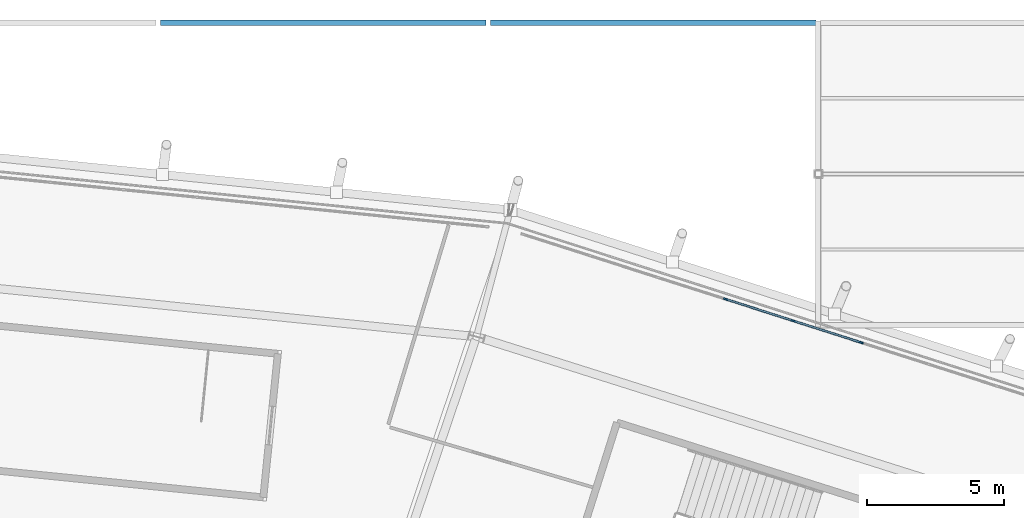
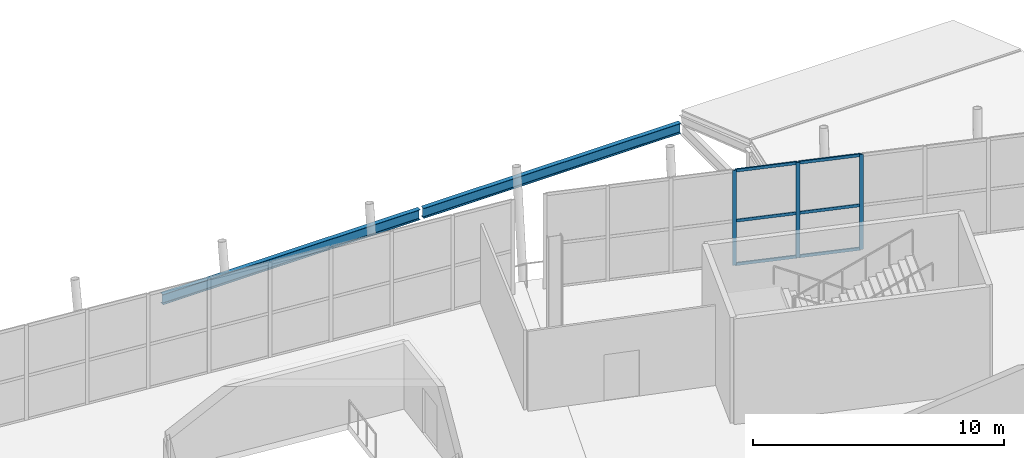
# One storey, part 58 of 126: 9 members, 2 beams, 1 element without a shape of its own.
"""IFC4 building model written with IfcOpenShell, lengths in metres."""

from ifc_helpers import new_model, si_unit, direction, frame, origin, origin_2d, place, context, subcontext, project, spatial, rectangle, i_section, extrude, material, material_profile, profile_set, type_object, element, aggregate, save


model = new_model("IFC4")

# Units and contexts
model_context = context("Model", 3, precision=1e-05, world=origin(), true_north=direction((0.0, 1.0)))
body_context = subcontext(model_context, "Body", "Model", "MODEL_VIEW")
ifc_project = project(units=[si_unit("LENGTHUNIT", "METRE"), si_unit("AREAUNIT", "SQUARE_METRE"), si_unit("VOLUMEUNIT", "CUBIC_METRE"), si_unit("PLANEANGLEUNIT", "RADIAN"), si_unit("MASSUNIT", "GRAM", prefix="KILO")], contexts=[model_context])

# Site, building, storey
site_placement = place(None, origin())
site = spatial("IfcSite", under=ifc_project, at=site_placement, CompositionType="ELEMENT")
building_placement = place(site_placement, origin())
building = spatial("IfcBuilding", under=site, at=building_placement, Name="Zlatoyarsky Gate Stadium", CompositionType="ELEMENT")
storey_placement = place(building_placement, frame((0.0, 0.0, 20.800048828125)))
storey = spatial("IfcBuildingStorey", under=building, at=storey_placement, Name="L04", CompositionType="ELEMENT", Elevation=20.800048828125)

# Curtain wall, members
ifc_material_1 = material(Name="Thermally broken anodised aluminium curtain wall", Category="aluminium")
curtain_wall_type = type_object("IfcCurtainWallType", Name="UNITISED MEDIA RING GLAZING L04", PredefinedType="USERDEFINED", material=ifc_material_1)
curtain_wall_placement = place(storey_placement, origin())
curtain_wall = element("IfcCurtainWall", 1, at=curtain_wall_placement, inside=storey, type_object=curtain_wall_type, Name="Curtain wall CW-L04-04", ObjectType="UNITISED GLAZING", PredefinedType="USERDEFINED")
ifc_material_2 = material(Name="Anodised aluminium 6063-T6", Category="aluminium")
ifc_material_profile_1 = material_profile(ifc_material_2, rectangle(XDim=0.06494140625, YDim=0.159912109375, at=origin_2d()), Name="ALU 65X160")
ifc_profile_set_1 = profile_set([ifc_material_profile_1], Name="Anodised aluminium 6063-T6")
member_type_1 = type_object("IfcMemberType", Name="ALUMINIUM MULLION 65X160", PredefinedType="MULLION", material=ifc_profile_set_1)
member_1_placement = place(storey_placement, frame((149.06103515625, 148.367431640625, 0.0), z_axis=(0.0, 0.0, 1.0), x_axis=(-0.305065730928, -0.952331297298, 0.0)))
member_1 = element("IfcMember", 2, at=member_1_placement, type_object=member_type_1, Name="CW-UG4 mullion 5", PredefinedType="MULLION", context=body_context, shape_type="SweptSolid", body=[
    extrude(rectangle(XDim=0.06494140625, YDim=0.159912109375, at=origin_2d()), origin(), (0.0, 0.0, 1.0), 4.619873046875),
])
member_2_placement = place(storey_placement, frame((146.597412109375, 149.156494140625, 0.0), z_axis=(0.0, 0.0, 1.0), x_axis=(-0.305065730928, -0.952331297298, 0.0)))
member_2 = element("IfcMember", 3, at=member_2_placement, type_object=member_type_1, Name="CW-UG4 mullion 6", PredefinedType="MULLION", context=body_context, shape_type="SweptSolid", body=[
    extrude(rectangle(XDim=0.06494140625, YDim=0.159912109375, at=origin_2d()), origin(), (0.0, 0.0, 1.0), 4.619873046875),
])
member_3_placement = place(storey_placement, frame((144.133544921875, 149.94580078125, 0.0), z_axis=(0.0, 0.0, 1.0), x_axis=(-0.305065730928, -0.952331297298, 0.0)))
member_3 = element("IfcMember", 4, at=member_3_placement, type_object=member_type_1, Name="CW-UG4 mullion 7", PredefinedType="MULLION", context=body_context, shape_type="SweptSolid", body=[
    extrude(rectangle(XDim=0.06494140625, YDim=0.159912109375, at=origin_2d()), origin(), (0.0, 0.0, 1.0), 4.619873046875),
])
ifc_material_profile_2 = material_profile(ifc_material_2, rectangle(XDim=0.06494140625, YDim=0.139892578125, at=origin_2d()), Name="ALU 65X140")
ifc_profile_set_2 = profile_set([ifc_material_profile_2], Name="Anodised aluminium 6063-T6")
member_type_2 = type_object("IfcMemberType", Name="ALUMINIUM TRANSOM 65X140", PredefinedType="USERDEFINED", material=ifc_profile_set_2)
member_4_placement = place(storey_placement, frame((149.030029296875, 148.377197265625, 0.032470703125), z_axis=(-0.95231618878, 0.305112891546, 0.0), x_axis=(-0.305112891546, -0.95231618878, 0.0)))
member_4 = element("IfcMember", 5, at=member_4_placement, type_object=member_type_2, Name="CW-UG4 transom 5.1", ObjectType="TRANSOM", PredefinedType="USERDEFINED", context=body_context, shape_type="SweptSolid", body=[
    extrude(rectangle(XDim=0.06494140625, YDim=0.139892578125, at=origin_2d()), origin(), (0.0, 0.0, 1.0), 2.522216796875),
])
member_5_placement = place(storey_placement, frame((149.030029296875, 148.377197265625, 2.14990234375), z_axis=(-0.95231618878, 0.305112891546, 0.0), x_axis=(-0.305112891546, -0.95231618878, 0.0)))
member_5 = element("IfcMember", 6, at=member_5_placement, type_object=member_type_2, Name="CW-UG4 transom 5.2", ObjectType="TRANSOM", PredefinedType="USERDEFINED", context=body_context, shape_type="SweptSolid", body=[
    extrude(rectangle(XDim=0.06494140625, YDim=0.139892578125, at=origin_2d()), origin(), (0.0, 0.0, 1.0), 2.522216796875),
])
member_6_placement = place(storey_placement, frame((149.030029296875, 148.377197265625, 4.58740234375), z_axis=(-0.95231618878, 0.305112891546, 0.0), x_axis=(-0.305112891546, -0.95231618878, 0.0)))
member_6 = element("IfcMember", 7, at=member_6_placement, type_object=member_type_2, Name="CW-UG4 transom 5.3", ObjectType="TRANSOM", PredefinedType="USERDEFINED", context=body_context, shape_type="SweptSolid", body=[
    extrude(rectangle(XDim=0.06494140625, YDim=0.139892578125, at=origin_2d()), origin(), (0.0, 0.0, 1.0), 2.522216796875),
])
member_7_placement = place(storey_placement, frame((146.56640625, 149.16650390625, 0.032470703125), z_axis=(-0.952344312089, 0.305025099349, 0.0), x_axis=(-0.305025099349, -0.952344312089, 0.0)))
member_7 = element("IfcMember", 8, at=member_7_placement, type_object=member_type_2, Name="CW-UG4 transom 6.1", ObjectType="TRANSOM", PredefinedType="USERDEFINED", context=body_context, shape_type="SweptSolid", body=[
    extrude(rectangle(XDim=0.06494140625, YDim=0.139892578125, at=origin_2d()), origin(), (0.0, 0.0, 1.0), 2.52197265625),
])
member_8_placement = place(storey_placement, frame((146.56640625, 149.16650390625, 2.14990234375), z_axis=(-0.952344312089, 0.305025099349, 0.0), x_axis=(-0.305025099349, -0.952344312089, 0.0)))
member_8 = element("IfcMember", 9, at=member_8_placement, type_object=member_type_2, Name="CW-UG4 transom 6.2", ObjectType="TRANSOM", PredefinedType="USERDEFINED", context=body_context, shape_type="SweptSolid", body=[
    extrude(rectangle(XDim=0.06494140625, YDim=0.139892578125, at=origin_2d()), origin(), (0.0, 0.0, 1.0), 2.52197265625),
])
member_9_placement = place(storey_placement, frame((146.56640625, 149.16650390625, 4.58740234375), z_axis=(-0.952344312089, 0.305025099349, 0.0), x_axis=(-0.305025099349, -0.952344312089, 0.0)))
member_9 = element("IfcMember", 10, at=member_9_placement, type_object=member_type_2, Name="CW-UG4 transom 6.3", ObjectType="TRANSOM", PredefinedType="USERDEFINED", context=body_context, shape_type="SweptSolid", body=[
    extrude(rectangle(XDim=0.06494140625, YDim=0.139892578125, at=origin_2d()), origin(), (0.0, 0.0, 1.0), 2.52197265625),
])
aggregate(curtain_wall, [member_1, member_2, member_3, member_4, member_5, member_6, member_7, member_8, member_9])

# Beams
ifc_material_3 = material(Name="Steel S355", Category="steel")
ifc_material_profile_3 = material_profile(ifc_material_3, i_section(OverallWidth=0.199951171875, OverallDepth=0.5, WebThickness=0.01025390625, FlangeThickness=0.01611328125, FilletRadius=0.02099609375, at=origin_2d()), Name="IPE 500")
ifc_profile_set_3 = profile_set([ifc_material_profile_3], Name="Steel S355")
beam_type = type_object("IfcBeamType", Name="STEEL FLOOR BEAM IPE 500", PredefinedType="BEAM", material=ifc_profile_set_3)
for number, where, z_axis, x_axis, name in (
    (11, (123.580078125, 160.0, -0.550048828125), (1.0, 0.0, 0.0), (0.0, 1.0, 0.0), "Beam B-IPE500 BM-L04-WGX-11-Q"),
    (12, (135.580078125, 160.0, -0.550048828125), (1.0, 0.0, 0.0), (0.0, 1.0, 0.0), "Beam B-IPE500 BM-L04-WGX-12-Q"),
):
    element("IfcBeam", number, at=place(storey_placement, frame(where, z_axis=z_axis, x_axis=x_axis)), inside=storey, type_object=beam_type, Name=name, PredefinedType="BEAM", context=body_context, shape_type="SweptSolid", body=[
        extrude(i_section(OverallWidth=0.199951171875, OverallDepth=0.5, WebThickness=0.01025390625, FlangeThickness=0.01611328125, FilletRadius=0.02099609375, at=origin_2d()), origin(), (0.0, 0.0, 1.0), 11.83984375),
    ])

save(model, "model.ifc")
